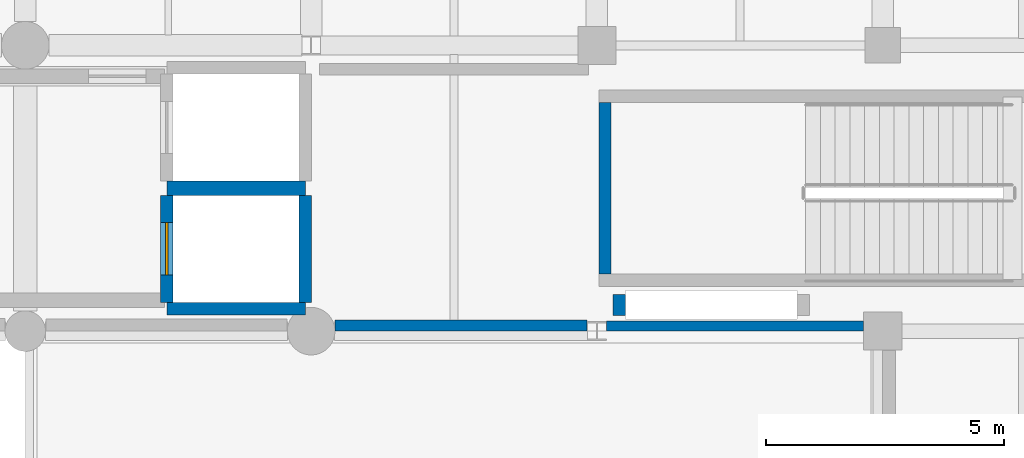
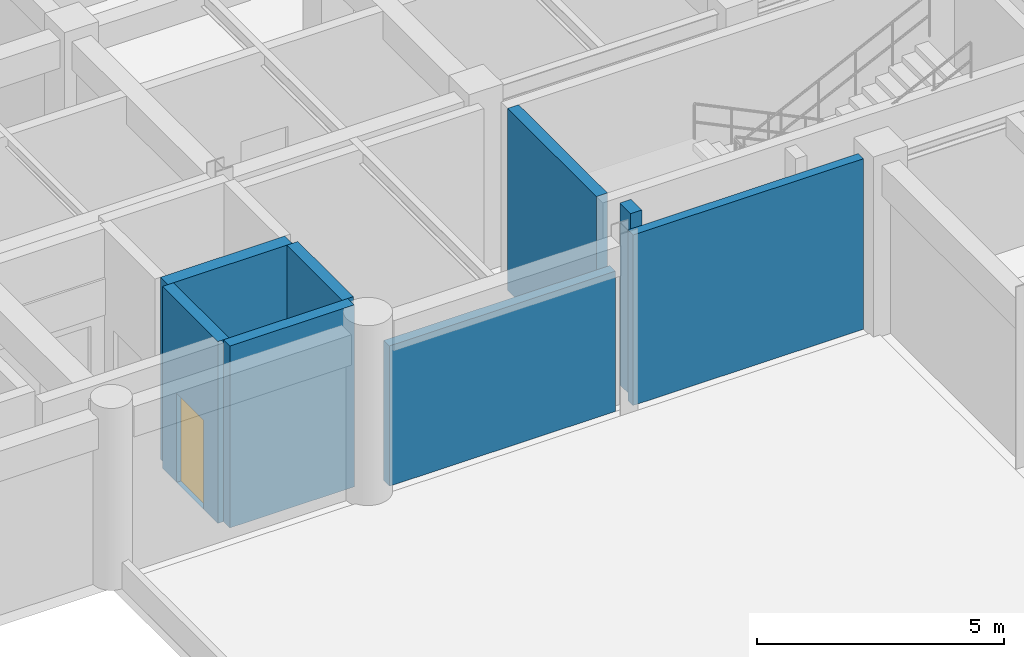
# One storey, part 107 of 133: 8 walls, 1 door, 1 opening.
"""IFC4 building model written with IfcOpenShell, lengths in metres."""

import ifcopenshell
import ifcopenshell.guid

model = None  # the IFC model being written
_history = None  # IfcOwnerHistory: only IFC2X3 demands one
_inside = {}  # id of a spatial element -> (the spatial element, [elements in it])
_under = {}  # id of a project, library or spatial element -> (it, [spatial elements below it])
_declared = {}  # id of a project -> (the project, [libraries it declares])
_typed = {}  # id of a type object -> (the type object, [elements of that type])
_made_of = {}  # id of a material, layer set ... -> (it, [elements and type objects made of it])


def new_model(schema):
    """Start an empty IFC model of exactly this schema.

    Asked for "IFC4X3", IfcOpenShell would pick the latest addendum, in which some entities
    have other attributes; the version numbers below select the first issue.
    IFC2X3 requires an IfcOwnerHistory on every rooted entity: one is made here for all.
    """
    global model, _history
    if schema == "IFC4X3":
        model = ifcopenshell.file(schema_version=(4, 3, 0, 0))
    else:
        model = ifcopenshell.file(schema=schema)
    _inside.clear()
    _under.clear()
    _declared.clear()
    _typed.clear()
    _made_of.clear()
    _history = None
    if model.schema == "IFC2X3":
        org = make("IfcOrganization", Name="unknown")
        user = make(
            "IfcPersonAndOrganization",
            ThePerson=make("IfcPerson", FamilyName="unknown"),
            TheOrganization=org,
        )
        app = make(
            "IfcApplication",
            ApplicationDeveloper=org,
            Version="unknown",
            ApplicationFullName="unknown",
            ApplicationIdentifier="unknown",
        )
        _history = make(
            "IfcOwnerHistory",
            OwningUser=user,
            OwningApplication=app,
            ChangeAction="ADDED",
            CreationDate=0,
        )
    return model


def make(cls, **values):
    """One entity of the class cls with the attributes given. An attribute that is None is left unset."""
    return model.create_entity(
        cls, **{name: value for name, value in values.items() if value is not None}
    )


def rooted(cls, **values):
    """An entity with a GlobalId (a new one), such as an element, a storey or a relation."""
    return make(cls, GlobalId=ifcopenshell.guid.new(), OwnerHistory=_history, **values)


def si_unit(unit_type, name, prefix=None):
    """IfcSIUnit, for example si_unit("LENGTHUNIT", "METRE", prefix="MILLI")."""
    return make("IfcSIUnit", UnitType=unit_type, Prefix=prefix, Name=name)


def assignment(units):
    """IfcUnitAssignment: the units of a project."""
    return None if units is None else make("IfcUnitAssignment", Units=units)


def point(xyz):
    """IfcCartesianPoint."""
    return None if xyz is None else make("IfcCartesianPoint", Coordinates=xyz)


def direction(xyz):
    """IfcDirection."""
    return None if xyz is None else make("IfcDirection", DirectionRatios=xyz)


def frame(location, z_axis=None, x_axis=None):
    """IfcAxis2Placement3D, a coordinate frame: its origin and axes. An axis left out is left unset."""
    return make(
        "IfcAxis2Placement3D",
        Location=point(location),
        Axis=direction(z_axis),
        RefDirection=direction(x_axis),
    )


def frame_2d(location, x_axis=None):
    """IfcAxis2Placement2D, a coordinate frame in the plane: its origin and x axis."""
    return make(
        "IfcAxis2Placement2D", Location=point(location), RefDirection=direction(x_axis)
    )


def origin():
    """The frame at (0, 0, 0) with its axes left unset."""
    return frame((0.0, 0.0, 0.0))


def place(relative_to, where):
    """IfcLocalPlacement: puts the frame where relative to a parent placement (None: the world)."""
    return make(
        "IfcLocalPlacement", PlacementRelTo=relative_to, RelativePlacement=where
    )


def context(
    kind, dimensions, precision=None, world=None, true_north=None, identifier=None
):
    """IfcGeometricRepresentationContext, for example the 3D "Model" context."""
    return make(
        "IfcGeometricRepresentationContext",
        ContextIdentifier=identifier,
        ContextType=kind,
        CoordinateSpaceDimension=dimensions,
        Precision=precision,
        WorldCoordinateSystem=world,
        TrueNorth=true_north,
    )


def subcontext(parent, identifier, kind, view, scale=None):
    """IfcGeometricRepresentationSubContext, for example "Body" below "Model"."""
    return make(
        "IfcGeometricRepresentationSubContext",
        ContextIdentifier=identifier,
        ContextType=kind,
        ParentContext=parent,
        TargetScale=scale,
        TargetView=view,
    )


def project(units=None, contexts=None):
    """IfcProject with its units and contexts."""
    return rooted(
        "IfcProject",
        Name="project",
        RepresentationContexts=contexts,
        UnitsInContext=assignment(units),
    )


def spatial(cls, under=None, at=None, **own):
    """A site, building, storey or space (cls), placed at a placement, below another one or the project."""
    s = rooted(cls, ObjectPlacement=at, **own)
    if under is not None:
        _under.setdefault(under.id(), (under, []))[1].append(s)
    return s


def profile(cls, at=None, kind="AREA", **sizes):
    """A parametric profile (cls). Its sizes go by their IFC names, for example OverallWidth=200.0."""
    return make(cls, ProfileType=kind, Position=at, **sizes)


def rectangle(**sizes):
    """IfcRectangleProfileDef."""
    return profile("IfcRectangleProfileDef", **sizes)


def extrude(swept, where, along, depth):
    """IfcExtrudedAreaSolid: the profile swept, set in the frame where, extruded along a direction by depth."""
    return make(
        "IfcExtrudedAreaSolid",
        SweptArea=swept,
        Position=where,
        ExtrudedDirection=direction(along),
        Depth=depth,
    )


def shape(context_of_items, identifier, shape_type, items):
    """IfcShapeRepresentation: the items that make up one representation, for example the "Body"."""
    return make(
        "IfcShapeRepresentation",
        ContextOfItems=context_of_items,
        RepresentationIdentifier=identifier,
        RepresentationType=shape_type,
        Items=items,
    )


def material(Name=None, Category=None):
    """IfcMaterial."""
    return make("IfcMaterial", Name=Name, Category=Category)


def layer(
    of_material, thickness, ventilated=None, Name=None, Category=None, Priority=None
):
    """IfcMaterialLayer: one layer of a wall or slab, of a material (None: an air gap)."""
    return make(
        "IfcMaterialLayer",
        Material=of_material,
        LayerThickness=thickness,
        IsVentilated=ventilated,
        Name=Name,
        Category=Category,
        Priority=Priority,
    )


def layer_set(layers, Name=None):
    """IfcMaterialLayerSet."""
    return make("IfcMaterialLayerSet", MaterialLayers=layers, LayerSetName=Name)


def made_of(thing, what):
    """Note that an element or type object is made of a material, layer set ...; save() writes the relation."""
    if what is not None:
        _made_of.setdefault(what.id(), (what, []))[1].append(thing)
    return thing


def type_object(cls, material=None, **own):
    """A type object (cls), such as IfcWallType, which elements share."""
    return made_of(rooted(cls, **own), material)


def element(
    cls,
    number,
    at=None,
    inside=None,
    cuts=None,
    type_object=None,
    material=None,
    context=None,
    identifier="Body",
    shape_type=None,
    held_by="IfcProductDefinitionShape",
    body=None,
    shapes=None,
    **own,
):
    """One element of the class cls, such as IfcWall. Its Tag is "e" and its number.

    at: its placement. inside: the storey or other place that contains it. cuts: it is an
    opening in that element (IfcRelVoidsElement). A single representation is given by context,
    identifier, shape_type and body (its items); several are given by shapes. held_by: the class
    of the entity that holds the representations. save() writes the other relations.
    """
    e = rooted(cls, Tag="e%d" % number, ObjectPlacement=at, **own)
    if body is not None:
        shapes = [shape(context, identifier, shape_type, body)]
    if shapes is not None:
        e.Representation = make(held_by, Representations=shapes)
    if inside is not None:
        _inside.setdefault(inside.id(), (inside, []))[1].append(e)
    if cuts is not None:
        rooted(
            "IfcRelVoidsElement", RelatingBuildingElement=cuts, RelatedOpeningElement=e
        )
    if type_object is not None:
        _typed.setdefault(type_object.id(), (type_object, []))[1].append(e)
    return made_of(e, material)


def fill(opening, filler):
    """IfcRelFillsElement: the door or window that sits in an opening."""
    return rooted(
        "IfcRelFillsElement",
        RelatingOpeningElement=opening,
        RelatedBuildingElement=filler,
    )


def aggregate(whole, parts):
    """IfcRelAggregates: a whole, such as a stair, and the parts it consists of."""
    return rooted("IfcRelAggregates", RelatingObject=whole, RelatedObjects=parts)


def save(model, path):
    """Write the relations noted so far, then the file.

    IfcRelAggregates (storeys below a building ...), IfcRelContainedInSpatialStructure (elements
    in a storey), IfcRelDefinesByType, IfcRelAssociatesMaterial and IfcRelDeclares: one each for
    every whole, place, type object, material and project.
    """
    for whole, parts in _under.values():
        aggregate(whole, parts)
    for where, things in _inside.values():
        rooted(
            "IfcRelContainedInSpatialStructure",
            RelatedElements=things,
            RelatingStructure=where,
        )
    for kind, things in _typed.values():
        rooted("IfcRelDefinesByType", RelatedObjects=things, RelatingType=kind)
    for what, things in _made_of.values():
        rooted("IfcRelAssociatesMaterial", RelatedObjects=things, RelatingMaterial=what)
    for by, libraries in _declared.values():
        rooted("IfcRelDeclares", RelatingContext=by, RelatedDefinitions=libraries)
    model.write(path)


model = new_model("IFC4")

# Units and contexts
model_context = context("Model", 3, precision=1e-05, world=origin(), true_north=direction((0.0, 1.0)))
body_context = subcontext(model_context, "Body", "Model", "MODEL_VIEW")
ifc_project = project(units=[si_unit("LENGTHUNIT", "METRE"), si_unit("AREAUNIT", "SQUARE_METRE"), si_unit("VOLUMEUNIT", "CUBIC_METRE"), si_unit("PLANEANGLEUNIT", "RADIAN"), si_unit("MASSUNIT", "GRAM", prefix="KILO"), si_unit("THERMODYNAMICTEMPERATUREUNIT", "KELVIN"), si_unit("POWERUNIT", "WATT")], contexts=[model_context])

# Site, building, storey
site_placement = place(None, origin())
site = spatial("IfcSite", under=ifc_project, at=site_placement, CompositionType="ELEMENT")
building_placement = place(site_placement, origin())
building = spatial("IfcBuilding", under=site, at=building_placement, Name="Phaisarnlok Congress Hotel", CompositionType="ELEMENT")
storey_placement = place(building_placement, frame((0.0, 0.0, 6.0)))
storey = spatial("IfcBuildingStorey", under=building, at=storey_placement, Name="L01", CompositionType="ELEMENT", Elevation=6.0)

# Walls
ifc_material_1 = material(Name="Concrete C40/50", Category="concrete")
ifc_layer_1 = layer(ifc_material_1, 0.2099609375, Name="Concrete C40/50")
ifc_layer_set_1 = layer_set([ifc_layer_1], Name="Concrete C40/50")
wall_type_1 = type_object("IfcWallType", Name="WL-EXT-210", PredefinedType="SOLIDWALL", material=ifc_layer_set_1)
wall_1_placement = place(storey_placement, frame((156.20556640625, 108.10498046875, 0.0), z_axis=(0.0, 0.0, 1.0), x_axis=(1.0, 0.0, 0.0)))
element("IfcWall", 1, at=wall_1_placement, inside=storey, type_object=wall_type_1, Name="Exterior wall EW-07 (L01)", PredefinedType="SOLIDWALL", context=body_context, shape_type="SweptSolid", body=[
    extrude(rectangle(XDim=5.389404296875, YDim=0.2099609375, at=frame_2d((2.69482421875, 0.0))), origin(), (0.0, 0.0, 1.0), 4.219970703125),
])
ifc_layer_2 = layer(ifc_material_1, 0.22998046875, Name="Concrete C40/50")
ifc_layer_set_2 = layer_set([ifc_layer_2], Name="Concrete C40/50")
wall_type_2 = type_object("IfcWallType", Name="WL-EXT-230", PredefinedType="SOLIDWALL", material=ifc_layer_set_2)
wall_2_placement = place(storey_placement, frame((150.5048828125, 108.114990234375, 0.0), z_axis=(0.0, 0.0, 1.0), x_axis=(1.0, 0.0, 0.0)))
element("IfcWall", 2, at=wall_2_placement, inside=storey, type_object=wall_type_2, Name="Exterior wall EW-06 (L01)", PredefinedType="SOLIDWALL", context=body_context, shape_type="SweptSolid", body=[
    extrude(rectangle(XDim=5.28955078125, YDim=0.22998046875, at=frame_2d((2.644775390625, 0.0))), origin(), (0.0, 0.0, 1.0), 3.469970703125),
])
ifc_material_2 = material(Name="Concrete C50/60", Category="concrete")
ifc_layer_3 = layer(ifc_material_2, 0.260009765625, Name="Concrete C50/60")
ifc_layer_set_3 = layer_set([ifc_layer_3], Name="Concrete C50/60")
wall_type_3 = type_object("IfcWallType", Name="WL-SHR-260", PredefinedType="SHEAR", material=ifc_layer_set_3)
wall_3_placement = place(storey_placement, frame((156.169921875, 109.199951171875, 0.0), z_axis=(0.0, 0.0, 1.0), x_axis=(0.0, 1.0, 0.0)))
element("IfcWall", 3, at=wall_3_placement, inside=storey, type_object=wall_type_3, Name="Stair shaft shear wall SW-04 (CORE-1 L01)", PredefinedType="SHEAR", context=body_context, shape_type="SweptSolid", body=[
    extrude(rectangle(XDim=3.60009765625, YDim=0.260009765625, at=frame_2d((1.800048828125, 0.0))), origin(), (0.0, 0.0, 1.0), 4.5),
])
wall_4_placement = place(storey_placement, frame((156.469970703125, 108.330078125, 0.0), z_axis=(0.0, 0.0, 1.0), x_axis=(0.0, 1.0, 0.0)))
element("IfcWall", 4, at=wall_4_placement, inside=storey, type_object=wall_type_3, Name="Service riser shaft wall SW-04 (CORE-1 L01)", PredefinedType="SHEAR", context=body_context, shape_type="SweptSolid", body=[
    extrude(rectangle(XDim=0.43994140625, YDim=0.260009765625, at=frame_2d((0.219970703125, 0.0))), origin(), (0.0, 0.0, 1.0), 4.5),
])
wall_5_placement = place(storey_placement, frame((146.969970703125, 108.469970703125, 0.0), z_axis=(0.0, 0.0, 1.0), x_axis=(1.0, 0.0, 0.0)))
element("IfcWall", 5, at=wall_5_placement, inside=storey, type_object=wall_type_3, Name="Lift shaft shear wall SW-04 (LF-FF2 L01)", PredefinedType="SHEAR", context=body_context, shape_type="SweptSolid", body=[
    extrude(rectangle(XDim=2.909912109375, YDim=0.260009765625, at=frame_2d((1.455078125, 0.0))), origin(), (0.0, 0.0, 1.0), 4.5),
])
wall_6_placement = place(storey_placement, frame((149.8798828125, 108.60009765625, 0.0), z_axis=(0.0, 0.0, 1.0), x_axis=(0.0, 1.0, 0.0)))
element("IfcWall", 6, at=wall_6_placement, inside=storey, type_object=wall_type_3, Name="Lift shaft shear wall SW-04 (LF-FF2 L01)", PredefinedType="SHEAR", context=body_context, shape_type="SweptSolid", body=[
    extrude(rectangle(XDim=2.25, YDim=0.260009765625, at=frame_2d((1.125, 0.0))), origin(), (0.0, 0.0, 1.0), 4.5),
])

# Wall, opening, door
wall_7_placement = place(storey_placement, frame((146.969970703125, 108.60009765625, 0.0), z_axis=(0.0, 0.0, 1.0), x_axis=(0.0, 1.0, 0.0)))
wall_7 = element("IfcWall", 7, at=wall_7_placement, inside=storey, type_object=wall_type_3, Name="Lift shaft front wall SW-04 (LF-FF2 L01)", PredefinedType="SHEAR", context=body_context, shape_type="SweptSolid", body=[
    extrude(rectangle(XDim=2.25, YDim=0.260009765625, at=frame_2d((1.125, 0.0))), origin(), (0.0, 0.0, 1.0), 4.5),
])
opening_placement = place(wall_7_placement, frame((0.574951171875, 0.0, 0.0)))
opening = element("IfcOpeningElement", 8, at=opening_placement, cuts=wall_7, Name="Opening LD-033", PredefinedType="OPENING", context=body_context, shape_type="SweptSolid", body=[
    extrude(rectangle(XDim=1.10009765625, YDim=2.199951171875, at=frame_2d((0.550048828125, 1.10009765625))), frame((0.0, 0.14013671875, 0.0), z_axis=(0.0, -1.0, 0.0), x_axis=(1.0, 0.0, 0.0)), (0.0, 0.0, 1.0), 0.280029296875),
])
ifc_material_3 = material(Name="Brushed Stainless Steel Grade 304", Category="steel")
door_type = type_object("IfcDoorType", Name="DR-LD-1100", OperationType="DOUBLE_DOOR_SLIDING", PredefinedType="DOOR", material=ifc_material_3)
door_placement = place(opening_placement, origin())
door = element("IfcDoor", 9, at=door_placement, inside=storey, type_object=door_type, Name="Lift landing sliding door LD-033 (LF-FF2 L01)", OperationType="DOUBLE_DOOR_SLIDING", OverallHeight=2.199951171875, OverallWidth=1.10009765625, PredefinedType="DOOR", context=body_context, shape_type="SweptSolid", body=[
    extrude(rectangle(XDim=1.10009765625, YDim=2.199951171875, at=frame_2d((0.550048828125, 1.10009765625))), frame((0.0, 0.02490234375, 0.0), z_axis=(0.0, -1.0, 0.0), x_axis=(1.0, 0.0, 0.0)), (0.0, 0.0, 1.0), 0.050048828125),
])
fill(opening, door)

# Wall
ifc_layer_4 = layer(ifc_material_2, 0.300048828125, Name="Concrete C50/60")
ifc_layer_set_4 = layer_set([ifc_layer_4], Name="Concrete C50/60")
wall_type_4 = type_object("IfcWallType", Name="WL-SHR-300", PredefinedType="SHEAR", material=ifc_layer_set_4)
wall_8_placement = place(storey_placement, frame((146.969970703125, 111.0, 0.0), z_axis=(0.0, 0.0, 1.0), x_axis=(1.0, 0.0, 0.0)))
element("IfcWall", 10, at=wall_8_placement, inside=storey, type_object=wall_type_4, Name="Lift shaft divider shear wall SW-03 (LF-FF2 L01)", PredefinedType="SHEAR", context=body_context, shape_type="SweptSolid", body=[
    extrude(rectangle(XDim=2.909912109375, YDim=0.300048828125, at=frame_2d((1.455078125, 0.0))), origin(), (0.0, 0.0, 1.0), 4.5),
])

save(model, "model.ifc")
